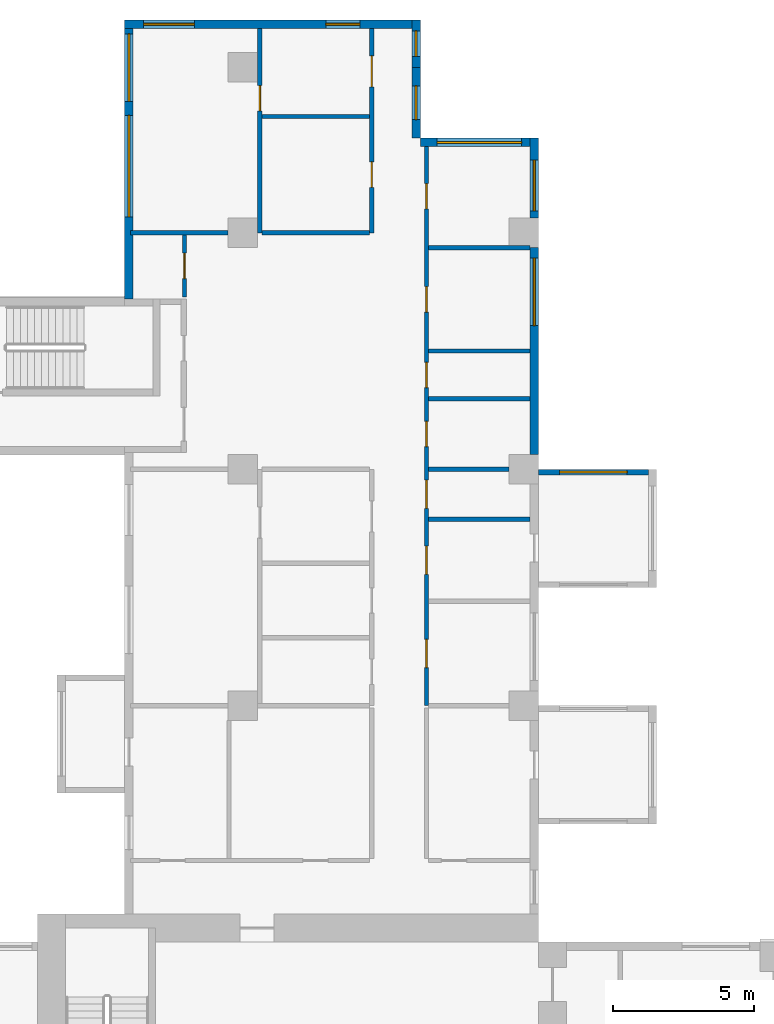
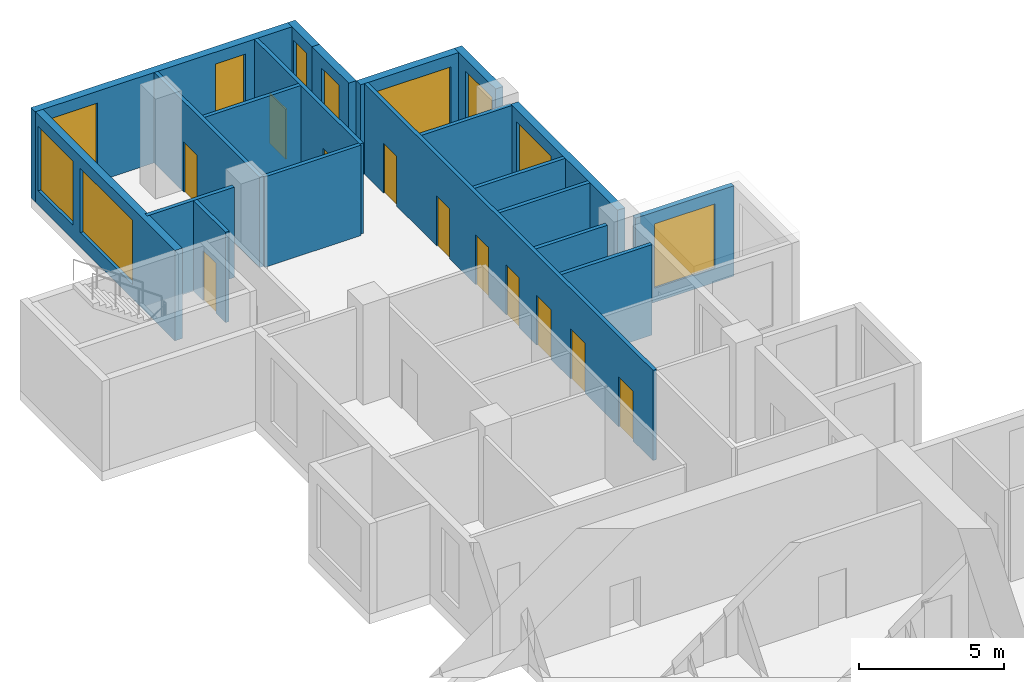
# One storey, part 7 of 14: 20 walls, 11 doors, 10 windows, 21 openings.
"""IFC4 building model written with IfcOpenShell, lengths in metres."""

from ifc_helpers import new_model, si_unit, direction, frame, frame_2d, origin, place, context, subcontext, project, spatial, rectangle, extrude, source, transform, mapped, material, layer, layer_set, type_object, element, fill, save


model = new_model("IFC4")

# Units and contexts
model_context = context("Model", 3, precision=1e-05, world=origin(), true_north=direction((0.0, 1.0)))
body_context = subcontext(model_context, "Body", "Model", "MODEL_VIEW")
ifc_project = project(units=[si_unit("LENGTHUNIT", "METRE"), si_unit("AREAUNIT", "SQUARE_METRE"), si_unit("VOLUMEUNIT", "CUBIC_METRE"), si_unit("PLANEANGLEUNIT", "RADIAN"), si_unit("MASSUNIT", "GRAM", prefix="KILO")], contexts=[model_context])

# Site, building, storey
site_placement = place(None, origin())
site = spatial("IfcSite", under=ifc_project, at=site_placement, CompositionType="ELEMENT")
building_placement = place(site_placement, origin())
building = spatial("IfcBuilding", under=site, at=building_placement, Name="Aurelian Terraces", CompositionType="ELEMENT")
storey_placement = place(building_placement, frame((0.0, 0.0, 149.7)))
storey = spatial("IfcBuildingStorey", under=building, at=storey_placement, Name="L33", CompositionType="ELEMENT", Elevation=149.7)

# Wall, opening, window
ifc_material_1 = material(Name="Terracotta rainscreen cladding", Category="masonry")
ifc_layer_1 = layer(ifc_material_1, 0.3)
ifc_layer_set_1 = layer_set([ifc_layer_1], Name="EW-300")
wall_type_1 = type_object("IfcWallType", Name="EW-300", PredefinedType="STANDARD", material=ifc_layer_set_1)
shared_shape_1 = source(origin(), body_context, "Body", "SweptSolid", [
    extrude(rectangle(XDim=4.2, YDim=0.3, at=frame_2d((2.1, 0.0))), origin(), (0.0, 0.0, 1.0), 3.8),
])
wall_1_placement = place(storey_placement, frame((21.0, 49.41, 0.0), z_axis=(0.0, 0.0, 1.0), x_axis=(-1.0, 0.0, 0.0)))
wall_1 = element("IfcWall", 1, at=wall_1_placement, inside=storey, type_object=wall_type_1, Name="External wall L33 F13.28", PredefinedType="STANDARD", context=body_context, shape_type="MappedRepresentation", body=[
    mapped(shared_shape_1, transform((0.0, 0.0, 0.0), scale=1.0)),
])
shared_shape_2 = source(origin(), body_context, "Body", "SweptSolid", [
    extrude(rectangle(XDim=3.0, YDim=2.7, at=frame_2d((1.5, 1.35))), frame((0.0, 0.16, 0.0), z_axis=(0.0, -1.0, 0.0), x_axis=(1.0, 0.0, 0.0)), (0.0, 0.0, 1.0), 0.32),
])
opening_1_placement = place(wall_1_placement, frame((0.6, 0.0, 0.6)))
opening_1 = element("IfcOpeningElement", 2, at=opening_1_placement, cuts=wall_1, Name="Opening W3027", PredefinedType="OPENING", context=body_context, shape_type="MappedRepresentation", body=[
    mapped(shared_shape_2, transform((0.0, 0.0, 0.0), scale=1.0)),
])
ifc_material_2 = material(Name="Clear glazing", Category="glass")
window_type_1 = type_object("IfcWindowType", Name="W-3000x2700", PartitioningType="SINGLE_PANEL", PredefinedType="WINDOW", material=ifc_material_2)
shared_shape_3 = source(origin(), body_context, "Body", "SweptSolid", [
    extrude(rectangle(XDim=3.0, YDim=2.7, at=frame_2d((1.5, 1.35))), frame((0.0, 0.03, 0.0), z_axis=(0.0, -1.0, 0.0), x_axis=(1.0, 0.0, 0.0)), (0.0, 0.0, 1.0), 0.06),
])
window_1_placement = place(opening_1_placement, origin())
window_1 = element("IfcWindow", 3, at=window_1_placement, inside=storey, type_object=window_type_1, Name="Window L33 L33-F13-28-0", OverallHeight=2.7, OverallWidth=3.0, PartitioningType="SINGLE_PANEL", PredefinedType="WINDOW", context=body_context, shape_type="MappedRepresentation", body=[
    mapped(shared_shape_3, transform((0.0, 0.0, 0.0), scale=1.0)),
])
fill(opening_1, window_1)

shared_shape_4 = source(origin(), body_context, "Body", "SweptSolid", [
    extrude(rectangle(XDim=2.52, YDim=0.3, at=frame_2d((1.26, 0.0))), origin(), (0.0, 0.0, 1.0), 3.8),
])
wall_2_placement = place(storey_placement, frame((16.65, 49.56, 0.0), z_axis=(0.0, 0.0, 1.0), x_axis=(0.0, 1.0, 0.0)))
wall_2 = element("IfcWall", 4, at=wall_2_placement, inside=storey, type_object=wall_type_1, Name="External wall L33 F14.29", PredefinedType="STANDARD", context=body_context, shape_type="MappedRepresentation", body=[
    mapped(shared_shape_4, transform((0.0, 0.0, 0.0), scale=1.0)),
])
shared_shape_5 = source(origin(), body_context, "Body", "SweptSolid", [
    extrude(rectangle(XDim=1.2, YDim=2.7, at=frame_2d((0.6, 1.35))), frame((0.0, 0.16, 0.0), z_axis=(0.0, -1.0, 0.0), x_axis=(1.0, 0.0, 0.0)), (0.0, 0.0, 1.0), 0.32),
])
opening_2_placement = place(wall_2_placement, frame((0.66, 0.0, 0.6)))
opening_2 = element("IfcOpeningElement", 5, at=opening_2_placement, cuts=wall_2, Name="Opening W1227", PredefinedType="OPENING", context=body_context, shape_type="MappedRepresentation", body=[
    mapped(shared_shape_5, transform((0.0, 0.0, 0.0), scale=1.0)),
])
window_type_2 = type_object("IfcWindowType", Name="W-1200x2700", PartitioningType="SINGLE_PANEL", PredefinedType="WINDOW", material=ifc_material_2)
shared_shape_6 = source(origin(), body_context, "Body", "SweptSolid", [
    extrude(rectangle(XDim=1.2, YDim=2.7, at=frame_2d((0.6, 1.35))), frame((0.0, 0.03, 0.0), z_axis=(0.0, -1.0, 0.0), x_axis=(1.0, 0.0, 0.0)), (0.0, 0.0, 1.0), 0.06),
])
window_2_placement = place(opening_2_placement, origin())
window_2 = element("IfcWindow", 6, at=window_2_placement, inside=storey, type_object=window_type_2, Name="Window L33 L33-F14-29-0", OverallHeight=2.7, OverallWidth=1.2, PartitioningType="SINGLE_PANEL", PredefinedType="WINDOW", context=body_context, shape_type="MappedRepresentation", body=[
    mapped(shared_shape_6, transform((0.0, 0.0, 0.0), scale=1.0)),
])
fill(opening_2, window_2)

shared_shape_7 = source(origin(), body_context, "Body", "SweptSolid", [
    extrude(rectangle(XDim=1.68, YDim=0.3, at=frame_2d((0.84, 0.0))), origin(), (0.0, 0.0, 1.0), 3.8),
])
wall_3_placement = place(storey_placement, frame((16.65, 52.08, 0.0), z_axis=(0.0, 0.0, 1.0), x_axis=(0.0, 1.0, 0.0)))
wall_3 = element("IfcWall", 7, at=wall_3_placement, inside=storey, type_object=wall_type_1, Name="External wall L33 F14.30", PredefinedType="STANDARD", context=body_context, shape_type="MappedRepresentation", body=[
    mapped(shared_shape_7, transform((0.0, 0.0, 0.0), scale=1.0)),
])
shared_shape_8 = source(origin(), body_context, "Body", "SweptSolid", [
    extrude(rectangle(XDim=0.9, YDim=2.7, at=frame_2d((0.45, 1.35))), frame((0.0, 0.16, 0.0), z_axis=(0.0, -1.0, 0.0), x_axis=(1.0, 0.0, 0.0)), (0.0, 0.0, 1.0), 0.32),
])
opening_3_placement = place(wall_3_placement, frame((0.39, 0.0, 0.6)))
opening_3 = element("IfcOpeningElement", 8, at=opening_3_placement, cuts=wall_3, Name="Opening W0927", PredefinedType="OPENING", context=body_context, shape_type="MappedRepresentation", body=[
    mapped(shared_shape_8, transform((0.0, 0.0, 0.0), scale=1.0)),
])
window_type_3 = type_object("IfcWindowType", Name="W-900x2700", PartitioningType="SINGLE_PANEL", PredefinedType="WINDOW", material=ifc_material_2)
shared_shape_9 = source(origin(), body_context, "Body", "SweptSolid", [
    extrude(rectangle(XDim=0.9, YDim=2.7, at=frame_2d((0.45, 1.35))), frame((0.0, 0.03, 0.0), z_axis=(0.0, -1.0, 0.0), x_axis=(1.0, 0.0, 0.0)), (0.0, 0.0, 1.0), 0.06),
])
window_3_placement = place(opening_3_placement, origin())
window_3 = element("IfcWindow", 9, at=window_3_placement, inside=storey, type_object=window_type_3, Name="Window L33 L33-F14-30-P0", OverallHeight=2.7, OverallWidth=0.9, PartitioningType="SINGLE_PANEL", PredefinedType="WINDOW", context=body_context, shape_type="MappedRepresentation", body=[
    mapped(shared_shape_9, transform((0.0, 0.0, 0.0), scale=1.0)),
])
fill(opening_3, window_3)

ifc_material_3 = material(Name="Concrete fc' 40 MPa", Category="concrete")
ifc_layer_2 = layer(ifc_material_3, 0.2)
ifc_layer_set_2 = layer_set([ifc_layer_2], Name="BOX BEARING WALL 200")
wall_type_2 = type_object("IfcWallType", Name="BOX BEARING WALL 200", PredefinedType="SOLIDWALL", material=ifc_layer_set_2)
shared_shape_10 = source(origin(), body_context, "Body", "SweptSolid", [
    extrude(rectangle(XDim=3.9, YDim=0.2, at=frame_2d((1.95, 0.0))), origin(), (0.0, 0.0, 1.0), 3.8),
])
wall_4_placement = place(storey_placement, frame((21.0, 37.7, 0.0), z_axis=(0.0, 0.0, 1.0), x_axis=(1.0, 0.0, 0.0)))
wall_4 = element("IfcWall", 10, at=wall_4_placement, inside=storey, type_object=wall_type_2, Name="Box return L33 J46.2", PredefinedType="SOLIDWALL", context=body_context, shape_type="MappedRepresentation", body=[
    mapped(shared_shape_10, transform((0.0, 0.0, 0.0), scale=1.0)),
])
shared_shape_11 = source(origin(), body_context, "Body", "SweptSolid", [
    extrude(rectangle(XDim=2.4, YDim=2.7, at=frame_2d((1.2, 1.35))), frame((0.0, 0.11, 0.0), z_axis=(0.0, -1.0, 0.0), x_axis=(1.0, 0.0, 0.0)), (0.0, 0.0, 1.0), 0.22),
])
opening_4_placement = place(wall_4_placement, frame((0.75, 0.0, 0.6)))
opening_4 = element("IfcOpeningElement", 11, at=opening_4_placement, cuts=wall_4, Name="Opening W2427", PredefinedType="OPENING", context=body_context, shape_type="MappedRepresentation", body=[
    mapped(shared_shape_11, transform((0.0, 0.0, 0.0), scale=1.0)),
])
window_type_4 = type_object("IfcWindowType", Name="W-2400x2700", PartitioningType="SINGLE_PANEL", PredefinedType="WINDOW", material=ifc_material_2)
shared_shape_12 = source(origin(), body_context, "Body", "SweptSolid", [
    extrude(rectangle(XDim=2.4, YDim=2.7, at=frame_2d((1.2, 1.35))), frame((0.0, 0.03, 0.0), z_axis=(0.0, -1.0, 0.0), x_axis=(1.0, 0.0, 0.0)), (0.0, 0.0, 1.0), 0.06),
])
window_4_placement = place(opening_4_placement, origin())
window_4 = element("IfcWindow", 12, at=window_4_placement, inside=storey, type_object=window_type_4, Name="Window L33 J46-S2", OverallHeight=2.7, OverallWidth=2.4, PartitioningType="SINGLE_PANEL", PredefinedType="WINDOW", context=body_context, shape_type="MappedRepresentation", body=[
    mapped(shared_shape_12, transform((0.0, 0.0, 0.0), scale=1.0)),
])
fill(opening_4, window_4)

shared_shape_13 = source(origin(), body_context, "Body", "SweptSolid", [
    extrude(rectangle(XDim=7.35, YDim=0.3, at=frame_2d((3.675, 0.0))), origin(), (0.0, 0.0, 1.0), 3.8),
])
wall_5_placement = place(storey_placement, frame((20.85, 38.325, 0.0), z_axis=(0.0, 0.0, 1.0), x_axis=(0.0, 1.0, 0.0)))
wall_5 = element("IfcWall", 13, at=wall_5_placement, inside=storey, type_object=wall_type_1, Name="External wall L33 F12.26", PredefinedType="STANDARD", context=body_context, shape_type="MappedRepresentation", body=[
    mapped(shared_shape_13, transform((0.0, 0.0, 0.0), scale=1.0)),
])
shared_shape_14 = source(origin(), body_context, "Body", "SweptSolid", [
    extrude(rectangle(XDim=2.4, YDim=2.7, at=frame_2d((1.2, 1.35))), frame((0.0, 0.16, 0.0), z_axis=(0.0, -1.0, 0.0), x_axis=(1.0, 0.0, 0.0)), (0.0, 0.0, 1.0), 0.32),
])
opening_5_placement = place(wall_5_placement, frame((4.575, 0.0, 0.6)))
opening_5 = element("IfcOpeningElement", 14, at=opening_5_placement, cuts=wall_5, Name="Opening W2427", PredefinedType="OPENING", context=body_context, shape_type="MappedRepresentation", body=[
    mapped(shared_shape_14, transform((0.0, 0.0, 0.0), scale=1.0)),
])
window_5_placement = place(opening_5_placement, origin())
window_5 = element("IfcWindow", 15, at=window_5_placement, inside=storey, type_object=window_type_4, Name="Window L33 L33-F12-26-1", OverallHeight=2.7, OverallWidth=2.4, PartitioningType="SINGLE_PANEL", PredefinedType="WINDOW", context=body_context, shape_type="MappedRepresentation", body=[
    mapped(shared_shape_12, transform((0.0, 0.0, 0.0), scale=1.0)),
])
fill(opening_5, window_5)

shared_shape_15 = source(origin(), body_context, "Body", "SweptSolid", [
    extrude(rectangle(XDim=2.835, YDim=0.3, at=frame_2d((1.4175, 0.0))), origin(), (0.0, 0.0, 1.0), 3.8),
])
wall_6_placement = place(storey_placement, frame((20.85, 46.725, 0.0), z_axis=(0.0, 0.0, 1.0), x_axis=(0.0, 1.0, 0.0)))
wall_6 = element("IfcWall", 16, at=wall_6_placement, inside=storey, type_object=wall_type_1, Name="External wall L33 F12.27", PredefinedType="STANDARD", context=body_context, shape_type="MappedRepresentation", body=[
    mapped(shared_shape_15, transform((0.0, 0.0, 0.0), scale=1.0)),
])
shared_shape_16 = source(origin(), body_context, "Body", "SweptSolid", [
    extrude(rectangle(XDim=1.8, YDim=2.7, at=frame_2d((0.9, 1.35))), frame((0.0, 0.16, 0.0), z_axis=(0.0, -1.0, 0.0), x_axis=(1.0, 0.0, 0.0)), (0.0, 0.0, 1.0), 0.32),
])
opening_6_placement = place(wall_6_placement, frame((0.255, 0.0, 0.6)))
opening_6 = element("IfcOpeningElement", 17, at=opening_6_placement, cuts=wall_6, Name="Opening W1827", PredefinedType="OPENING", context=body_context, shape_type="MappedRepresentation", body=[
    mapped(shared_shape_16, transform((0.0, 0.0, 0.0), scale=1.0)),
])
window_type_5 = type_object("IfcWindowType", Name="W-1800x2700", PartitioningType="SINGLE_PANEL", PredefinedType="WINDOW", material=ifc_material_2)
shared_shape_17 = source(origin(), body_context, "Body", "SweptSolid", [
    extrude(rectangle(XDim=1.8, YDim=2.7, at=frame_2d((0.9, 1.35))), frame((0.0, 0.03, 0.0), z_axis=(0.0, -1.0, 0.0), x_axis=(1.0, 0.0, 0.0)), (0.0, 0.0, 1.0), 0.06),
])
window_6_placement = place(opening_6_placement, origin())
window_6 = element("IfcWindow", 18, at=window_6_placement, inside=storey, type_object=window_type_5, Name="Window L33 L33-F12-27-0", OverallHeight=2.7, OverallWidth=1.8, PartitioningType="SINGLE_PANEL", PredefinedType="WINDOW", context=body_context, shape_type="MappedRepresentation", body=[
    mapped(shared_shape_17, transform((0.0, 0.0, 0.0), scale=1.0)),
])
fill(opening_6, window_6)

# Wall, openings, windows
shared_shape_18 = source(origin(), body_context, "Body", "SweptSolid", [
    extrude(rectangle(XDim=10.5, YDim=0.3, at=frame_2d((5.25, 0.0))), origin(), (0.0, 0.0, 1.0), 3.8),
])
wall_7_placement = place(storey_placement, frame((16.8, 53.61, 0.0), z_axis=(0.0, 0.0, 1.0), x_axis=(-1.0, 0.0, 0.0)))
wall_7 = element("IfcWall", 19, at=wall_7_placement, inside=storey, type_object=wall_type_1, Name="External wall L33 F15.31", PredefinedType="STANDARD", context=body_context, shape_type="MappedRepresentation", body=[
    mapped(shared_shape_18, transform((0.0, 0.0, 0.0), scale=1.0)),
])
opening_7_placement = place(wall_7_placement, frame((2.15, 0.0, 0.6)))
opening_7 = element("IfcOpeningElement", 20, at=opening_7_placement, cuts=wall_7, Name="Opening W1227", PredefinedType="OPENING", context=body_context, shape_type="MappedRepresentation", body=[
    mapped(shared_shape_5, transform((0.0, 0.0, 0.0), scale=1.0)),
])
opening_8_placement = place(wall_7_placement, frame((8.025, 0.0, 0.6)))
opening_8 = element("IfcOpeningElement", 21, at=opening_8_placement, cuts=wall_7, Name="Opening W1827", PredefinedType="OPENING", context=body_context, shape_type="MappedRepresentation", body=[
    mapped(shared_shape_16, transform((0.0, 0.0, 0.0), scale=1.0)),
])
window_7_placement = place(opening_8_placement, origin())
window_7 = element("IfcWindow", 22, at=window_7_placement, inside=storey, type_object=window_type_5, Name="Window L33 L33-F15-31-2", OverallHeight=2.7, OverallWidth=1.8, PartitioningType="SINGLE_PANEL", PredefinedType="WINDOW", context=body_context, shape_type="MappedRepresentation", body=[
    mapped(shared_shape_17, transform((0.0, 0.0, 0.0), scale=1.0)),
])
fill(opening_8, window_7)
window_8_placement = place(opening_7_placement, origin())
window_8 = element("IfcWindow", 23, at=window_8_placement, inside=storey, type_object=window_type_2, Name="Window L33 L33-F15-31-0", OverallHeight=2.7, OverallWidth=1.2, PartitioningType="SINGLE_PANEL", PredefinedType="WINDOW", context=body_context, shape_type="MappedRepresentation", body=[
    mapped(shared_shape_6, transform((0.0, 0.0, 0.0), scale=1.0)),
])
fill(opening_7, window_8)

shared_shape_19 = source(origin(), body_context, "Body", "SweptSolid", [
    extrude(rectangle(XDim=9.91, YDim=0.3, at=frame_2d((4.955, 0.0))), origin(), (0.0, 0.0, 1.0), 3.8),
])
wall_8_placement = place(storey_placement, frame((6.45, 53.76, 0.0), z_axis=(0.0, 0.0, 1.0), x_axis=(0.0, -1.0, 0.0)))
wall_8 = element("IfcWall", 24, at=wall_8_placement, inside=storey, type_object=wall_type_1, Name="External wall L33 F16.32", PredefinedType="STANDARD", context=body_context, shape_type="MappedRepresentation", body=[
    mapped(shared_shape_19, transform((0.0, 0.0, 0.0), scale=1.0)),
])
shared_shape_20 = source(origin(), body_context, "Body", "SweptSolid", [
    extrude(rectangle(XDim=3.6, YDim=2.7, at=frame_2d((1.8, 1.35))), frame((0.0, 0.16, 0.0), z_axis=(0.0, -1.0, 0.0), x_axis=(1.0, 0.0, 0.0)), (0.0, 0.0, 1.0), 0.32),
])
opening_9_placement = place(wall_8_placement, frame((3.39, 0.0, 0.6)))
opening_9 = element("IfcOpeningElement", 25, at=opening_9_placement, cuts=wall_8, Name="Opening W3627", PredefinedType="OPENING", context=body_context, shape_type="MappedRepresentation", body=[
    mapped(shared_shape_20, transform((0.0, 0.0, 0.0), scale=1.0)),
])
opening_10_placement = place(wall_8_placement, frame((0.495, 0.0, 0.6)))
opening_10 = element("IfcOpeningElement", 26, at=opening_10_placement, cuts=wall_8, Name="Opening W2427", PredefinedType="OPENING", context=body_context, shape_type="MappedRepresentation", body=[
    mapped(shared_shape_14, transform((0.0, 0.0, 0.0), scale=1.0)),
])
window_type_6 = type_object("IfcWindowType", Name="W-3600x2700", PartitioningType="SINGLE_PANEL", PredefinedType="WINDOW", material=ifc_material_2)
shared_shape_21 = source(origin(), body_context, "Body", "SweptSolid", [
    extrude(rectangle(XDim=3.6, YDim=2.7, at=frame_2d((1.8, 1.35))), frame((0.0, 0.03, 0.0), z_axis=(0.0, -1.0, 0.0), x_axis=(1.0, 0.0, 0.0)), (0.0, 0.0, 1.0), 0.06),
])
window_9_placement = place(opening_9_placement, origin())
window_9 = element("IfcWindow", 27, at=window_9_placement, inside=storey, type_object=window_type_6, Name="Window L33 L33-F16-32-1", OverallHeight=2.7, OverallWidth=3.6, PartitioningType="SINGLE_PANEL", PredefinedType="WINDOW", context=body_context, shape_type="MappedRepresentation", body=[
    mapped(shared_shape_21, transform((0.0, 0.0, 0.0), scale=1.0)),
])
fill(opening_9, window_9)
window_10_placement = place(opening_10_placement, origin())
window_10 = element("IfcWindow", 28, at=window_10_placement, inside=storey, type_object=window_type_4, Name="Window L33 L33-F16-32-G0-0", OverallHeight=2.7, OverallWidth=2.4, PartitioningType="SINGLE_PANEL", PredefinedType="WINDOW", context=body_context, shape_type="MappedRepresentation", body=[
    mapped(shared_shape_12, transform((0.0, 0.0, 0.0), scale=1.0)),
])
fill(opening_10, window_10)

# Walls
ifc_material_4 = material(Name="Gypsum board on steel studs", Category="steel")
ifc_layer_3 = layer(ifc_material_4, 0.15)
ifc_layer_set_3 = layer_set([ifc_layer_3], Name="Partition 150")
wall_type_3 = type_object("IfcWallType", Name="Partition 150", PredefinedType="PARTITIONING", material=ifc_layer_set_3)
shared_shape_22 = source(origin(), body_context, "Body", "SweptSolid", [
    extrude(rectangle(XDim=3.6, YDim=0.15, at=frame_2d((1.8, 0.0))), origin(), (0.0, 0.0, 1.0), 3.8),
])
for number, where, z_axis, x_axis, name in (
    (29, (17.1, 36.024, 0.0), (0.0, 0.0, 1.0), (1.0, 0.0, 0.0), "Partition"),
    (30, (17.1, 40.3011, 0.0), (0.0, 0.0, 1.0), (1.0, 0.0, 0.0), "Partition"),
    (31, (17.1, 45.6675, 0.0), (0.0, 0.0, 1.0), (1.0, 0.0, 0.0), "Partition"),
    (32, (20.7, 42.0, 0.0), (0.0, 0.0, 1.0), (-1.0, 0.0, 0.0), "Partition"),
):
    element("IfcWall", number, at=place(storey_placement, frame(where, z_axis=z_axis, x_axis=x_axis)), inside=storey, type_object=wall_type_3, Name=name, PredefinedType="PARTITIONING", context=body_context, shape_type="MappedRepresentation", body=[
        mapped(shared_shape_22, transform((0.0, 0.0, 0.0), scale=1.0)),
    ])

# Wall, opening, door
shared_shape_23 = source(origin(), body_context, "Body", "SweptSolid", [
    extrude(rectangle(XDim=2.2, YDim=0.15, at=frame_2d((1.1, 0.0))), origin(), (0.0, 0.0, 1.0), 3.8),
])
wall_9_placement = place(storey_placement, frame((8.425, 43.925, 0.0), z_axis=(0.0, 0.0, 1.0), x_axis=(0.0, 1.0, 0.0)))
wall_9 = element("IfcWall", 33, at=wall_9_placement, inside=storey, type_object=wall_type_3, Name="Partition", PredefinedType="PARTITIONING", context=body_context, shape_type="MappedRepresentation", body=[
    mapped(shared_shape_23, transform((0.0, 0.0, 0.0), scale=1.0)),
])
shared_shape_24 = source(origin(), body_context, "Body", "SweptSolid", [
    extrude(rectangle(XDim=0.9, YDim=2.1, at=frame_2d((0.45, 1.05))), frame((0.0, 0.085, 0.0), z_axis=(0.0, -1.0, 0.0), x_axis=(1.0, 0.0, 0.0)), (0.0, 0.0, 1.0), 0.17),
])
opening_11_placement = place(wall_9_placement, frame((0.65, 0.0, 0.0)))
opening_11 = element("IfcOpeningElement", 34, at=opening_11_placement, cuts=wall_9, Name="Opening 733024", PredefinedType="OPENING", context=body_context, shape_type="MappedRepresentation", body=[
    mapped(shared_shape_24, transform((0.0, 0.0, 0.0), scale=1.0)),
])
ifc_material_5 = material(Name="Timber door leaf", Category="wood")
door_type_1 = type_object("IfcDoorType", Name="Room door 900x2100 left", OperationType="SINGLE_SWING_LEFT", PredefinedType="DOOR", material=ifc_material_5)
shared_shape_25 = source(origin(), body_context, "Body", "SweptSolid", [
    extrude(rectangle(XDim=0.9, YDim=2.1, at=frame_2d((0.45, 1.05))), frame((0.0, 0.025, 0.0), z_axis=(0.0, -1.0, 0.0), x_axis=(1.0, 0.0, 0.0)), (0.0, 0.0, 1.0), 0.05),
])
door_1_placement = place(opening_11_placement, origin())
door_1 = element("IfcDoor", 35, at=door_1_placement, inside=storey, type_object=door_type_1, Name="Door 733024", OperationType="SINGLE_SWING_LEFT", OverallHeight=2.1, OverallWidth=0.9, PredefinedType="DOOR", context=body_context, shape_type="MappedRepresentation", body=[
    mapped(shared_shape_25, transform((0.0, 0.0, 0.0), scale=1.0)),
])
fill(opening_11, door_1)

shared_shape_26 = source(origin(), body_context, "Body", "SweptSolid", [
    extrude(rectangle(XDim=7.26, YDim=0.15, at=frame_2d((3.63, 0.0))), origin(), (0.0, 0.0, 1.0), 3.8),
])
wall_10_placement = place(storey_placement, frame((11.1, 46.2, 0.0), z_axis=(0.0, 0.0, 1.0), x_axis=(0.0, 1.0, 0.0)))
wall_10 = element("IfcWall", 36, at=wall_10_placement, inside=storey, type_object=wall_type_3, Name="Partition", PredefinedType="PARTITIONING", context=body_context, shape_type="MappedRepresentation", body=[
    mapped(shared_shape_26, transform((0.0, 0.0, 0.0), scale=1.0)),
])
opening_12_placement = place(wall_10_placement, frame((4.3317, 0.0, 0.0)))
opening_12 = element("IfcOpeningElement", 37, at=opening_12_placement, cuts=wall_10, Name="Opening 733030", PredefinedType="OPENING", context=body_context, shape_type="MappedRepresentation", body=[
    mapped(shared_shape_24, transform((0.0, 0.0, 0.0), scale=1.0)),
])
door_2_placement = place(opening_12_placement, origin())
door_2 = element("IfcDoor", 38, at=door_2_placement, inside=storey, type_object=door_type_1, Name="Door 733030", OperationType="SINGLE_SWING_LEFT", OverallHeight=2.1, OverallWidth=0.9, PredefinedType="DOOR", context=body_context, shape_type="MappedRepresentation", body=[
    mapped(shared_shape_25, transform((0.0, 0.0, 0.0), scale=1.0)),
])
fill(opening_12, door_2)

# Wall, openings, doors
ifc_layer_4 = layer(ifc_material_4, 0.15)
ifc_layer_set_4 = layer_set([ifc_layer_4], Name="Fire partition 150")
wall_type_4 = type_object("IfcWallType", Name="Fire partition 150", PredefinedType="PARTITIONING", material=ifc_layer_set_4)
wall_11_placement = place(storey_placement, frame((15.075, 46.2, 0.0), z_axis=(0.0, 0.0, 1.0), x_axis=(0.0, 1.0, 0.0)))
wall_11 = element("IfcWall", 39, at=wall_11_placement, inside=storey, type_object=wall_type_4, Name="Corridor wall", PredefinedType="PARTITIONING", context=body_context, shape_type="MappedRepresentation", body=[
    mapped(shared_shape_26, transform((0.0, 0.0, 0.0), scale=1.0)),
])
shared_shape_27 = source(origin(), body_context, "Body", "SweptSolid", [
    extrude(rectangle(XDim=1.1, YDim=2.1, at=frame_2d((0.55, 1.05))), frame((0.0, 0.085, 0.0), z_axis=(0.0, -1.0, 0.0), x_axis=(1.0, 0.0, 0.0)), (0.0, 0.0, 1.0), 0.17),
])
opening_13_placement = place(wall_11_placement, frame((5.1842, 0.0, 0.0)))
opening_13 = element("IfcOpeningElement", 40, at=opening_13_placement, cuts=wall_11, Name="Opening 733029", PredefinedType="OPENING", context=body_context, shape_type="MappedRepresentation", body=[
    mapped(shared_shape_27, transform((0.0, 0.0, 0.0), scale=1.0)),
])
opening_14_placement = place(wall_11_placement, frame((1.6167, 0.0, 0.0)))
opening_14 = element("IfcOpeningElement", 41, at=opening_14_placement, cuts=wall_11, Name="Opening 733031", PredefinedType="OPENING", context=body_context, shape_type="MappedRepresentation", body=[
    mapped(shared_shape_24, transform((0.0, 0.0, 0.0), scale=1.0)),
])
door_type_2 = type_object("IfcDoorType", Name="Room door 900x2100 right", OperationType="SINGLE_SWING_RIGHT", PredefinedType="DOOR", material=ifc_material_5)
door_3_placement = place(opening_14_placement, origin())
door_3 = element("IfcDoor", 42, at=door_3_placement, inside=storey, type_object=door_type_2, Name="Door 733031", OperationType="SINGLE_SWING_RIGHT", OverallHeight=2.1, OverallWidth=0.9, PredefinedType="DOOR", context=body_context, shape_type="MappedRepresentation", body=[
    mapped(shared_shape_25, transform((0.0, 0.0, 0.0), scale=1.0)),
])
fill(opening_14, door_3)
door_type_3 = type_object("IfcDoorType", Name="Room door 1100x2100 right", OperationType="SINGLE_SWING_RIGHT", PredefinedType="DOOR", material=ifc_material_5)
shared_shape_28 = source(origin(), body_context, "Body", "SweptSolid", [
    extrude(rectangle(XDim=1.1, YDim=2.1, at=frame_2d((0.55, 1.05))), frame((0.0, 0.025, 0.0), z_axis=(0.0, -1.0, 0.0), x_axis=(1.0, 0.0, 0.0)), (0.0, 0.0, 1.0), 0.05),
])
door_4_placement = place(opening_13_placement, origin())
door_4 = element("IfcDoor", 43, at=door_4_placement, inside=storey, type_object=door_type_3, Name="Door 733029", OperationType="SINGLE_SWING_RIGHT", OverallHeight=2.1, OverallWidth=1.1, PredefinedType="DOOR", context=body_context, shape_type="MappedRepresentation", body=[
    mapped(shared_shape_28, transform((0.0, 0.0, 0.0), scale=1.0)),
])
fill(opening_13, door_4)

# Walls
shared_shape_29 = source(origin(), body_context, "Body", "SweptSolid", [
    extrude(rectangle(XDim=3.825, YDim=0.15, at=frame_2d((1.9125, 0.0))), origin(), (0.0, 0.0, 1.0), 3.8),
])
for number, where, z_axis, x_axis, name in (
    (44, (15.0, 50.3335, 0.0), (0.0, 0.0, 1.0), (-1.0, 0.0, 0.0), "Partition"),
    (45, (15.0, 46.2, 0.0), (0.0, 0.0, 1.0), (-1.0, 0.0, 0.0), "Partition"),
):
    element("IfcWall", number, at=place(storey_placement, frame(where, z_axis=z_axis, x_axis=x_axis)), inside=storey, type_object=wall_type_3, Name=name, PredefinedType="PARTITIONING", context=body_context, shape_type="MappedRepresentation", body=[
        mapped(shared_shape_29, transform((0.0, 0.0, 0.0), scale=1.0)),
    ])
shared_shape_30 = source(origin(), body_context, "Body", "SweptSolid", [
    extrude(rectangle(XDim=2.851, YDim=0.15, at=frame_2d((1.4255, 0.0))), origin(), (0.0, 0.0, 1.0), 3.8),
])
wall_12_placement = place(storey_placement, frame((19.951, 37.8, 0.0), z_axis=(0.0, 0.0, 1.0), x_axis=(-1.0, 0.0, 0.0)))
element("IfcWall", 46, at=wall_12_placement, inside=storey, type_object=wall_type_3, Name="Partition", PredefinedType="PARTITIONING", context=body_context, shape_type="MappedRepresentation", body=[
    mapped(shared_shape_30, transform((0.0, 0.0, 0.0), scale=1.0)),
])
shared_shape_31 = source(origin(), body_context, "Body", "SweptSolid", [
    extrude(rectangle(XDim=3.471, YDim=0.15, at=frame_2d((1.7355, 0.0))), origin(), (0.0, 0.0, 1.0), 3.8),
])
wall_13_placement = place(storey_placement, frame((9.976, 46.2, 0.0), z_axis=(0.0, 0.0, 1.0), x_axis=(-1.0, 0.0, 0.0)))
element("IfcWall", 47, at=wall_13_placement, inside=storey, type_object=wall_type_3, Name="Partition", PredefinedType="PARTITIONING", context=body_context, shape_type="MappedRepresentation", body=[
    mapped(shared_shape_31, transform((0.0, 0.0, 0.0), scale=1.0)),
])

# Wall, openings, doors
shared_shape_32 = source(origin(), body_context, "Body", "SweptSolid", [
    extrude(rectangle(XDim=19.86, YDim=0.15, at=frame_2d((9.93, 0.0))), origin(), (0.0, 0.0, 1.0), 3.8),
])
wall_14_placement = place(storey_placement, frame((17.025, 49.26, 0.0), z_axis=(0.0, 0.0, 1.0), x_axis=(0.0, -1.0, 0.0)))
wall_14 = element("IfcWall", 48, at=wall_14_placement, inside=storey, type_object=wall_type_4, Name="Corridor wall", PredefinedType="PARTITIONING", context=body_context, shape_type="MappedRepresentation", body=[
    mapped(shared_shape_32, transform((0.0, 0.0, 0.0), scale=1.0)),
])
shared_shape_33 = source(origin(), body_context, "Body", "SweptSolid", [
    extrude(rectangle(XDim=1.0, YDim=2.1, at=frame_2d((0.5, 1.05))), frame((0.0, 0.085, 0.0), z_axis=(0.0, -1.0, 0.0), x_axis=(1.0, 0.0, 0.0)), (0.0, 0.0, 1.0), 0.17),
])
opening_15_placement = place(wall_14_placement, frame((17.5033, 0.0, 0.0)))
opening_15 = element("IfcOpeningElement", 49, at=opening_15_placement, cuts=wall_14, Name="Opening 733032", PredefinedType="OPENING", context=body_context, shape_type="MappedRepresentation", body=[
    mapped(shared_shape_33, transform((0.0, 0.0, 0.0), scale=1.0)),
])
opening_16_placement = place(wall_14_placement, frame((14.1914, 0.0, 0.0)))
opening_16 = element("IfcOpeningElement", 50, at=opening_16_placement, cuts=wall_14, Name="Opening 733033", PredefinedType="OPENING", context=body_context, shape_type="MappedRepresentation", body=[
    mapped(shared_shape_33, transform((0.0, 0.0, 0.0), scale=1.0)),
])
opening_17_placement = place(wall_14_placement, frame((11.848, 0.0, 0.0)))
opening_17 = element("IfcOpeningElement", 51, at=opening_17_placement, cuts=wall_14, Name="Opening 733034", PredefinedType="OPENING", context=body_context, shape_type="MappedRepresentation", body=[
    mapped(shared_shape_33, transform((0.0, 0.0, 0.0), scale=1.0)),
])
opening_18_placement = place(wall_14_placement, frame((9.7594, 0.0, 0.0)))
opening_18 = element("IfcOpeningElement", 52, at=opening_18_placement, cuts=wall_14, Name="Opening 733035", PredefinedType="OPENING", context=body_context, shape_type="MappedRepresentation", body=[
    mapped(shared_shape_24, transform((0.0, 0.0, 0.0), scale=1.0)),
])
opening_19_placement = place(wall_14_placement, frame((7.6594, 0.0, 0.0)))
opening_19 = element("IfcOpeningElement", 53, at=opening_19_placement, cuts=wall_14, Name="Opening 733036", PredefinedType="OPENING", context=body_context, shape_type="MappedRepresentation", body=[
    mapped(shared_shape_24, transform((0.0, 0.0, 0.0), scale=1.0)),
])
opening_20_placement = place(wall_14_placement, frame((4.9762, 0.0, 0.0)))
opening_20 = element("IfcOpeningElement", 54, at=opening_20_placement, cuts=wall_14, Name="Opening 733037", PredefinedType="OPENING", context=body_context, shape_type="MappedRepresentation", body=[
    mapped(shared_shape_24, transform((0.0, 0.0, 0.0), scale=1.0)),
])
opening_21_placement = place(wall_14_placement, frame((1.3088, 0.0, 0.0)))
opening_21 = element("IfcOpeningElement", 55, at=opening_21_placement, cuts=wall_14, Name="Opening 733038", PredefinedType="OPENING", context=body_context, shape_type="MappedRepresentation", body=[
    mapped(shared_shape_24, transform((0.0, 0.0, 0.0), scale=1.0)),
])
door_type_4 = type_object("IfcDoorType", Name="Room door 1000x2100 right", OperationType="SINGLE_SWING_RIGHT", PredefinedType="DOOR", material=ifc_material_5)
shared_shape_34 = source(origin(), body_context, "Body", "SweptSolid", [
    extrude(rectangle(XDim=1.0, YDim=2.1, at=frame_2d((0.5, 1.05))), frame((0.0, 0.025, 0.0), z_axis=(0.0, -1.0, 0.0), x_axis=(1.0, 0.0, 0.0)), (0.0, 0.0, 1.0), 0.05),
])
door_5_placement = place(opening_15_placement, origin())
door_5 = element("IfcDoor", 56, at=door_5_placement, inside=storey, type_object=door_type_4, Name="Door 733032", OperationType="SINGLE_SWING_RIGHT", OverallHeight=2.1, OverallWidth=1.0, PredefinedType="DOOR", context=body_context, shape_type="MappedRepresentation", body=[
    mapped(shared_shape_34, transform((0.0, 0.0, 0.0), scale=1.0)),
])
fill(opening_15, door_5)
door_type_5 = type_object("IfcDoorType", Name="Room door 1000x2100 left", OperationType="SINGLE_SWING_LEFT", PredefinedType="DOOR", material=ifc_material_5)
door_6_placement = place(opening_16_placement, origin())
door_6 = element("IfcDoor", 57, at=door_6_placement, inside=storey, type_object=door_type_5, Name="Door 733033", OperationType="SINGLE_SWING_LEFT", OverallHeight=2.1, OverallWidth=1.0, PredefinedType="DOOR", context=body_context, shape_type="MappedRepresentation", body=[
    mapped(shared_shape_34, transform((0.0, 0.0, 0.0), scale=1.0)),
])
fill(opening_16, door_6)
door_7_placement = place(opening_17_placement, origin())
door_7 = element("IfcDoor", 58, at=door_7_placement, inside=storey, type_object=door_type_4, Name="Door 733034", OperationType="SINGLE_SWING_RIGHT", OverallHeight=2.1, OverallWidth=1.0, PredefinedType="DOOR", context=body_context, shape_type="MappedRepresentation", body=[
    mapped(shared_shape_34, transform((0.0, 0.0, 0.0), scale=1.0)),
])
fill(opening_17, door_7)
door_8_placement = place(opening_18_placement, origin())
door_8 = element("IfcDoor", 59, at=door_8_placement, inside=storey, type_object=door_type_2, Name="Door 733035", OperationType="SINGLE_SWING_RIGHT", OverallHeight=2.1, OverallWidth=0.9, PredefinedType="DOOR", context=body_context, shape_type="MappedRepresentation", body=[
    mapped(shared_shape_25, transform((0.0, 0.0, 0.0), scale=1.0)),
])
fill(opening_18, door_8)
door_9_placement = place(opening_19_placement, origin())
door_9 = element("IfcDoor", 60, at=door_9_placement, inside=storey, type_object=door_type_1, Name="Door 733036", OperationType="SINGLE_SWING_LEFT", OverallHeight=2.1, OverallWidth=0.9, PredefinedType="DOOR", context=body_context, shape_type="MappedRepresentation", body=[
    mapped(shared_shape_25, transform((0.0, 0.0, 0.0), scale=1.0)),
])
fill(opening_19, door_9)
door_10_placement = place(opening_20_placement, origin())
door_10 = element("IfcDoor", 61, at=door_10_placement, inside=storey, type_object=door_type_2, Name="Door 733037", OperationType="SINGLE_SWING_RIGHT", OverallHeight=2.1, OverallWidth=0.9, PredefinedType="DOOR", context=body_context, shape_type="MappedRepresentation", body=[
    mapped(shared_shape_25, transform((0.0, 0.0, 0.0), scale=1.0)),
])
fill(opening_20, door_10)
door_11_placement = place(opening_21_placement, origin())
door_11 = element("IfcDoor", 62, at=door_11_placement, inside=storey, type_object=door_type_1, Name="Door 733038", OperationType="SINGLE_SWING_LEFT", OverallHeight=2.1, OverallWidth=0.9, PredefinedType="DOOR", context=body_context, shape_type="MappedRepresentation", body=[
    mapped(shared_shape_25, transform((0.0, 0.0, 0.0), scale=1.0)),
])
fill(opening_21, door_11)

save(model, "model.ifc")
